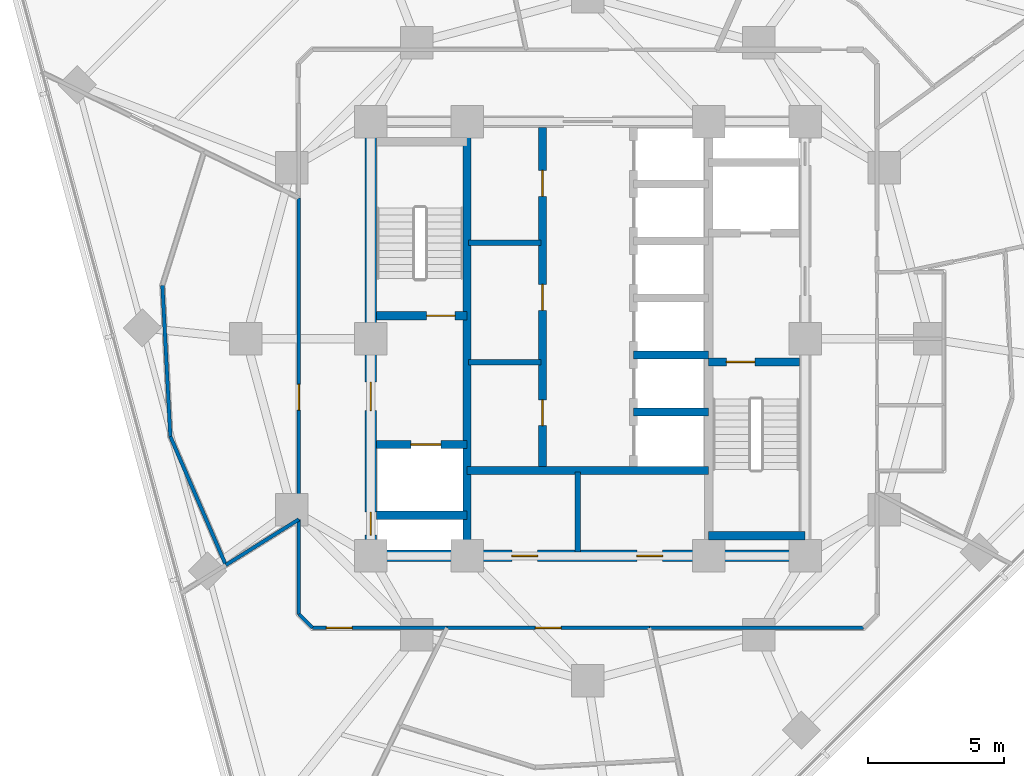
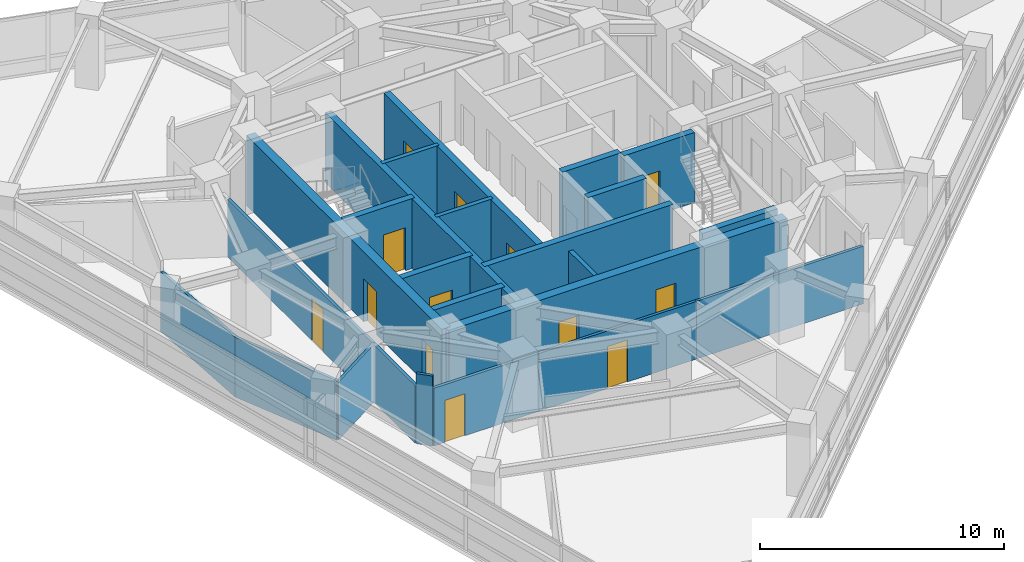
# One storey, part 7 of 14: 24 walls, 13 doors, 13 openings.
"""IFC4 building model written with IfcOpenShell, lengths in metres."""

from ifc_helpers import new_model, si_unit, direction, frame, frame_2d, origin, place, context, subcontext, project, spatial, rectangle, extrude, material, layer, layer_set, type_object, element, fill, save


model = new_model("IFC4")

# Units and contexts
model_context = context("Model", 3, precision=1e-05, world=origin(), true_north=direction((0.0, 1.0)))
body_context = subcontext(model_context, "Body", "Model", "MODEL_VIEW")
ifc_project = project(units=[si_unit("LENGTHUNIT", "METRE"), si_unit("AREAUNIT", "SQUARE_METRE"), si_unit("VOLUMEUNIT", "CUBIC_METRE"), si_unit("PLANEANGLEUNIT", "RADIAN"), si_unit("MASSUNIT", "GRAM", prefix="KILO")], contexts=[model_context])

# Site, building, storey
site_placement = place(None, origin())
site = spatial("IfcSite", under=ifc_project, at=site_placement, CompositionType="ELEMENT")
building_placement = place(site_placement, origin())
building = spatial("IfcBuilding", under=site, at=building_placement, Name="Terralouvre Media Tower", CompositionType="ELEMENT")
storey_placement = place(building_placement, frame((0.0, 0.0, 191.60009765625)))
storey = spatial("IfcBuildingStorey", under=building, at=storey_placement, Name="L49", CompositionType="ELEMENT", Elevation=191.60009765625)

# Wall
ifc_material_1 = material(Name="Concrete C50/60", Category="concrete")
ifc_layer_1 = layer(ifc_material_1, 0.300048828125, Name="Core Internal Shaft Wall CW-300")
ifc_layer_set_1 = layer_set([ifc_layer_1], Name="Concrete C50/60")
wall_type_1 = type_object("IfcWallType", Name="Core Internal Shaft Wall CW-300", PredefinedType="SHEAR", material=ifc_layer_set_1)
wall_1_placement = place(storey_placement, frame((-4.449951171875, -7.7900390625, 0.0), z_axis=(0.0, 0.0, 1.0), x_axis=(0.0, 1.0, 0.0)))
element("IfcWall", 1, at=wall_1_placement, inside=storey, type_object=wall_type_1, Name="L49 Core Shaft Wall SPW", PredefinedType="SHEAR", context=body_context, shape_type="SweptSolid", body=[
    extrude(rectangle(XDim=15.580078125, YDim=0.300048828125, at=frame_2d((7.7900390625, 0.0))), origin(), (0.0, 0.0, 1.0), 3.5),
])

# Wall, opening, door
wall_2_placement = place(storey_placement, frame((-7.7900390625, 0.85009765625, 0.0), z_axis=(0.0, 0.0, 1.0), x_axis=(1.0, 0.0, 0.0)))
wall_2 = element("IfcWall", 2, at=wall_2_placement, inside=storey, type_object=wall_type_1, Name="L49 Core Shaft Wall ST1D", PredefinedType="SHEAR", context=body_context, shape_type="SweptSolid", body=[
    extrude(rectangle(XDim=3.340087890625, YDim=0.300048828125, at=frame_2d((1.669921875, 0.0))), origin(), (0.0, 0.0, 1.0), 3.5),
])
opening_1_placement = place(wall_2_placement, frame((1.85009765625, 0.0, 0.0)))
opening_1 = element("IfcOpeningElement", 3, at=opening_1_placement, cuts=wall_2, Name="Opening FD-01-105X215", PredefinedType="OPENING", context=body_context, shape_type="SweptSolid", body=[
    extrude(rectangle(XDim=1.050048828125, YDim=2.14990234375, at=frame_2d((0.52490234375, 1.074951171875))), frame((0.0, 0.159912109375, 0.0), z_axis=(0.0, -1.0, 0.0), x_axis=(1.0, 0.0, 0.0)), (0.0, 0.0, 1.0), 0.320068359375),
])
ifc_material_2 = material(Name="Galvanised steel fire-resisting leaf", Category="steel")
door_type_1 = type_object("IfcDoorType", Name="Stair and Firefighting Lobby Fire Door FD-01 (1050x2150)", OperationType="NOTDEFINED", PredefinedType="DOOR", material=ifc_material_2)
door_1_placement = place(opening_1_placement, origin())
door_1 = element("IfcDoor", 4, at=door_1_placement, inside=storey, type_object=door_type_1, Name="L49 ST-01 Exit Stair Door", OperationType="SINGLE_SWING_LEFT", OverallHeight=2.14990234375, OverallWidth=1.050048828125, PredefinedType="DOOR", context=body_context, shape_type="SweptSolid", body=[
    extrude(rectangle(XDim=1.050048828125, YDim=2.14990234375, at=frame_2d((0.52490234375, 1.074951171875))), frame((0.0, 0.02490234375, 0.0), z_axis=(0.0, -1.0, 0.0), x_axis=(1.0, 0.0, 0.0)), (0.0, 0.0, 1.0), 0.050048828125),
])
fill(opening_1, door_1)

wall_3_placement = place(storey_placement, frame((4.449951171875, -0.85009765625, 0.0), z_axis=(0.0, 0.0, 1.0), x_axis=(1.0, 0.0, 0.0)))
wall_3 = element("IfcWall", 5, at=wall_3_placement, inside=storey, type_object=wall_type_1, Name="L49 Core Shaft Wall ST2D", PredefinedType="SHEAR", context=body_context, shape_type="SweptSolid", body=[
    extrude(rectangle(XDim=3.340087890625, YDim=0.300048828125, at=frame_2d((1.669921875, 0.0))), origin(), (0.0, 0.0, 1.0), 3.5),
])
opening_2_placement = place(wall_3_placement, frame((0.64990234375, 0.0, 0.0)))
opening_2 = element("IfcOpeningElement", 6, at=opening_2_placement, cuts=wall_3, Name="Opening FD-01-105X215", PredefinedType="OPENING", context=body_context, shape_type="SweptSolid", body=[
    extrude(rectangle(XDim=1.050048828125, YDim=2.14990234375, at=frame_2d((0.52490234375, 1.074951171875))), frame((0.0, 0.159912109375, 0.0), z_axis=(0.0, -1.0, 0.0), x_axis=(1.0, 0.0, 0.0)), (0.0, 0.0, 1.0), 0.320068359375),
])
door_2_placement = place(opening_2_placement, origin())
door_2 = element("IfcDoor", 7, at=door_2_placement, inside=storey, type_object=door_type_1, Name="L49 ST-02 Exit Stair Door", OperationType="SINGLE_SWING_RIGHT", OverallHeight=2.14990234375, OverallWidth=1.050048828125, PredefinedType="DOOR", context=body_context, shape_type="SweptSolid", body=[
    extrude(rectangle(XDim=1.050048828125, YDim=2.14990234375, at=frame_2d((0.52490234375, 1.074951171875))), frame((0.0, 0.02490234375, 0.0), z_axis=(0.0, -1.0, 0.0), x_axis=(1.0, 0.0, 0.0)), (0.0, 0.0, 1.0), 0.050048828125),
])
fill(opening_2, door_2)

# Wall
wall_4_placement = place(storey_placement, frame((4.449951171875, -7.260009765625, 0.0), z_axis=(0.0, 0.0, 1.0), x_axis=(1.0, 0.0, 0.0)))
element("IfcWall", 8, at=wall_4_placement, inside=storey, type_object=wall_type_1, Name="L49 Core Shaft Wall ST2F", PredefinedType="SHEAR", context=body_context, shape_type="SweptSolid", body=[
    extrude(rectangle(XDim=3.550048828125, YDim=0.300048828125, at=frame_2d((1.77490234375, 0.0))), origin(), (0.0, 0.0, 1.0), 3.5),
])

# Wall, opening, door
wall_5_placement = place(storey_placement, frame((-7.7900390625, -3.89990234375, 0.0), z_axis=(0.0, 0.0, 1.0), x_axis=(1.0, 0.0, 0.0)))
wall_5 = element("IfcWall", 9, at=wall_5_placement, inside=storey, type_object=wall_type_1, Name="L49 Core Shaft Wall FF1N", PredefinedType="SHEAR", context=body_context, shape_type="SweptSolid", body=[
    extrude(rectangle(XDim=3.340087890625, YDim=0.300048828125, at=frame_2d((1.669921875, 0.0))), origin(), (0.0, 0.0, 1.0), 3.5),
])
opening_3_placement = place(wall_5_placement, frame((1.27001953125, 0.0, 0.0)))
opening_3 = element("IfcOpeningElement", 10, at=opening_3_placement, cuts=wall_5, Name="Opening LD-FF", PredefinedType="OPENING", context=body_context, shape_type="SweptSolid", body=[
    extrude(rectangle(XDim=1.10009765625, YDim=2.10009765625, at=frame_2d((0.550048828125, 1.050048828125))), frame((0.0, 0.159912109375, 0.0), z_axis=(0.0, -1.0, 0.0), x_axis=(1.0, 0.0, 0.0)), (0.0, 0.0, 1.0), 0.320068359375),
])
ifc_material_3 = material(Name="Stainless steel 316 handrail and balustrade", Category="steel")
door_type_2 = type_object("IfcDoorType", Name="Firefighting Lift Sliding Landing Door LD-FF", OperationType="SLIDING_TO_LEFT", PredefinedType="DOOR", material=ifc_material_3)
door_3_placement = place(opening_3_placement, origin())
door_3 = element("IfcDoor", 11, at=door_3_placement, inside=storey, type_object=door_type_2, Name="L49 Firefighting Lift FFL-01 Landing Door", OperationType="SLIDING_TO_LEFT", OverallHeight=2.10009765625, OverallWidth=1.10009765625, PredefinedType="DOOR", context=body_context, shape_type="SweptSolid", body=[
    extrude(rectangle(XDim=1.10009765625, YDim=2.10009765625, at=frame_2d((0.550048828125, 1.050048828125))), frame((0.0, 0.02490234375, 0.0), z_axis=(0.0, -1.0, 0.0), x_axis=(1.0, 0.0, 0.0)), (0.0, 0.0, 1.0), 0.050048828125),
])
fill(opening_3, door_3)

# Walls
wall_6_placement = place(storey_placement, frame((-7.7900390625, -6.5, 0.0), z_axis=(0.0, 0.0, 1.0), x_axis=(1.0, 0.0, 0.0)))
element("IfcWall", 12, at=wall_6_placement, inside=storey, type_object=wall_type_1, Name="L49 Core Shaft Wall FF1S", PredefinedType="SHEAR", context=body_context, shape_type="SweptSolid", body=[
    extrude(rectangle(XDim=3.340087890625, YDim=0.300048828125, at=frame_2d((1.669921875, 0.0))), origin(), (0.0, 0.0, 1.0), 3.5),
])
wall_7_placement = place(storey_placement, frame((-4.449951171875, -4.85009765625, 0.0), z_axis=(0.0, 0.0, 1.0), x_axis=(1.0, 0.0, 0.0)))
element("IfcWall", 13, at=wall_7_placement, inside=storey, type_object=wall_type_1, Name="L49 Core Shaft Wall CSBN", PredefinedType="SHEAR", context=body_context, shape_type="SweptSolid", body=[
    extrude(rectangle(XDim=8.89990234375, YDim=0.300048828125, at=frame_2d((4.449951171875, 0.0))), origin(), (0.0, 0.0, 1.0), 3.5),
])

# Wall, openings, doors
wall_8_placement = place(storey_placement, frame((-1.679931640625, -4.85009765625, 0.0), z_axis=(0.0, 0.0, 1.0), x_axis=(0.0, 1.0, 0.0)))
wall_8 = element("IfcWall", 14, at=wall_8_placement, inside=storey, type_object=wall_type_1, Name="L49 Core Shaft Wall LBW", PredefinedType="SHEAR", context=body_context, shape_type="SweptSolid", body=[
    extrude(rectangle(XDim=12.64013671875, YDim=0.300048828125, at=frame_2d((6.320068359375, 0.0))), origin(), (0.0, 0.0, 1.0), 3.5),
])
opening_4_placement = place(wall_8_placement, frame((1.64990234375, 0.0, 0.0)))
opening_4 = element("IfcOpeningElement", 15, at=opening_4_placement, cuts=wall_8, Name="Opening FD-02-95X210", PredefinedType="OPENING", context=body_context, shape_type="SweptSolid", body=[
    extrude(rectangle(XDim=0.949951171875, YDim=2.10009765625, at=frame_2d((0.47509765625, 1.050048828125))), frame((0.0, 0.159912109375, 0.0), z_axis=(0.0, -1.0, 0.0), x_axis=(1.0, 0.0, 0.0)), (0.0, 0.0, 1.0), 0.320068359375),
])
opening_5_placement = place(wall_8_placement, frame((5.89990234375, 0.0, 0.0)))
opening_5 = element("IfcOpeningElement", 16, at=opening_5_placement, cuts=wall_8, Name="Opening SD-02", PredefinedType="OPENING", context=body_context, shape_type="SweptSolid", body=[
    extrude(rectangle(XDim=0.949951171875, YDim=2.10009765625, at=frame_2d((0.47509765625, 1.050048828125))), frame((0.0, 0.159912109375, 0.0), z_axis=(0.0, -1.0, 0.0), x_axis=(1.0, 0.0, 0.0)), (0.0, 0.0, 1.0), 0.320068359375),
])
opening_6_placement = place(wall_8_placement, frame((10.10009765625, 0.0, 0.0)))
opening_6 = element("IfcOpeningElement", 17, at=opening_6_placement, cuts=wall_8, Name="Opening FD-02-95X210", PredefinedType="OPENING", context=body_context, shape_type="SweptSolid", body=[
    extrude(rectangle(XDim=0.949951171875, YDim=2.10009765625, at=frame_2d((0.47509765625, 1.050048828125))), frame((0.0, 0.159912109375, 0.0), z_axis=(0.0, -1.0, 0.0), x_axis=(1.0, 0.0, 0.0)), (0.0, 0.0, 1.0), 0.320068359375),
])
ifc_material_4 = material(Name="Galvanised steel fire-resisting leaf", Category="steel")
door_type_3 = type_object("IfcDoorType", Name="Core Service Sliding Fire Door SD-02", OperationType="SLIDING_TO_LEFT", PredefinedType="DOOR", material=ifc_material_4)
door_4_placement = place(opening_5_placement, origin())
door_4 = element("IfcDoor", 18, at=door_4_placement, inside=storey, type_object=door_type_3, Name="L49 Core Pantry Store Door", OperationType="SLIDING_TO_LEFT", OverallHeight=2.10009765625, OverallWidth=0.949951171875, PredefinedType="DOOR", context=body_context, shape_type="SweptSolid", body=[
    extrude(rectangle(XDim=0.949951171875, YDim=2.10009765625, at=frame_2d((0.47509765625, 1.050048828125))), frame((0.0, 0.02490234375, 0.0), z_axis=(0.0, -1.0, 0.0), x_axis=(1.0, 0.0, 0.0)), (0.0, 0.0, 1.0), 0.050048828125),
])
fill(opening_5, door_4)
ifc_material_5 = material(Name="Galvanised steel fire-resisting leaf", Category="steel")
door_type_4 = type_object("IfcDoorType", Name="Plant and Riser Fire Door FD-02 (950x2100)", OperationType="NOTDEFINED", PredefinedType="DOOR", material=ifc_material_5)
door_5_placement = place(opening_4_placement, origin())
door_5 = element("IfcDoor", 19, at=door_5_placement, inside=storey, type_object=door_type_4, Name="L49 Core UPS Switch Plant Door", OperationType="SINGLE_SWING_LEFT", OverallHeight=2.10009765625, OverallWidth=0.949951171875, PredefinedType="DOOR", context=body_context, shape_type="SweptSolid", body=[
    extrude(rectangle(XDim=0.949951171875, YDim=2.10009765625, at=frame_2d((0.47509765625, 1.050048828125))), frame((0.0, 0.02490234375, 0.0), z_axis=(0.0, -1.0, 0.0), x_axis=(1.0, 0.0, 0.0)), (0.0, 0.0, 1.0), 0.050048828125),
])
fill(opening_4, door_5)
door_6_placement = place(opening_6_placement, origin())
door_6 = element("IfcDoor", 20, at=door_6_placement, inside=storey, type_object=door_type_4, Name="L49 Core Edge Server Plant Door", OperationType="SINGLE_SWING_RIGHT", OverallHeight=2.10009765625, OverallWidth=0.949951171875, PredefinedType="DOOR", context=body_context, shape_type="SweptSolid", body=[
    extrude(rectangle(XDim=0.949951171875, YDim=2.10009765625, at=frame_2d((0.47509765625, 1.050048828125))), frame((0.0, 0.02490234375, 0.0), z_axis=(0.0, -1.0, 0.0), x_axis=(1.0, 0.0, 0.0)), (0.0, 0.0, 1.0), 0.050048828125),
])
fill(opening_6, door_6)

# Walls
for number, where, z_axis, x_axis, name in (
    (21, (1.679931640625, -2.699951171875, 0.0), (0.0, 0.0, 1.0), (1.0, 0.0, 0.0), "L49 Core Shaft Wall PLHD1"),
    (22, (1.679931640625, -0.60009765625, 0.0), (0.0, 0.0, 1.0), (1.0, 0.0, 0.0), "L49 Core Shaft Wall PLHD2"),
):
    element("IfcWall", number, at=place(storey_placement, frame(where, z_axis=z_axis, x_axis=x_axis)), inside=storey, type_object=wall_type_1, Name=name, PredefinedType="SHEAR", context=body_context, shape_type="SweptSolid", body=[
        extrude(rectangle(XDim=2.77001953125, YDim=0.300048828125, at=frame_2d((1.385009765625, 0.0))), origin(), (0.0, 0.0, 1.0), 3.5),
    ])

# Wall, openings, doors
ifc_material_6 = material(Name="Concrete C60/75", Category="concrete")
ifc_layer_2 = layer(ifc_material_6, 0.419921875, Name="Core Reinforced Concrete Shear Wall CW-420")
ifc_layer_set_2 = layer_set([ifc_layer_2], Name="Concrete C60/75")
wall_type_2 = type_object("IfcWallType", Name="Core Reinforced Concrete Shear Wall CW-420", PredefinedType="SHEAR", material=ifc_layer_set_2)
wall_9_placement = place(storey_placement, frame((-8.0, -8.0, 0.0), z_axis=(0.0, 0.0, 1.0), x_axis=(0.0, 1.0, 0.0)))
wall_9 = element("IfcWall", 23, at=wall_9_placement, inside=storey, type_object=wall_type_2, Name="L49 W Core Shear Wall", PredefinedType="SHEAR", context=body_context, shape_type="SweptSolid", body=[
    extrude(rectangle(XDim=16.0, YDim=0.419921875, at=frame_2d((8.0, 0.0))), origin(), (0.0, 0.0, 1.0), 3.5),
])
opening_7_placement = place(wall_9_placement, frame((0.76123046875, 0.0, 0.0)))
opening_7 = element("IfcOpeningElement", 24, at=opening_7_placement, cuts=wall_9, Name="Opening TD-R1", PredefinedType="OPENING", context=body_context, shape_type="SweptSolid", body=[
    extrude(rectangle(XDim=0.85009765625, YDim=2.02001953125, at=frame_2d((0.425048828125, 1.010009765625))), frame((0.0, 0.219970703125, 0.0), z_axis=(0.0, -1.0, 0.0), x_axis=(1.0, 0.0, 0.0)), (0.0, 0.0, 1.0), 0.43994140625),
])
opening_8_placement = place(wall_9_placement, frame((5.35009765625, 0.0, 0.0)))
opening_8 = element("IfcOpeningElement", 25, at=opening_8_placement, cuts=wall_9, Name="Opening FD-01-105X215", PredefinedType="OPENING", context=body_context, shape_type="SweptSolid", body=[
    extrude(rectangle(XDim=1.050048828125, YDim=2.14990234375, at=frame_2d((0.52490234375, 1.074951171875))), frame((0.0, 0.219970703125, 0.0), z_axis=(0.0, -1.0, 0.0), x_axis=(1.0, 0.0, 0.0)), (0.0, 0.0, 1.0), 0.43994140625),
])
ifc_material_7 = material(Name="Galvanised steel fire-resisting leaf", Category="steel")
door_type_5 = type_object("IfcDoorType", Name="Riser Inspection Access Trapdoor TD-R1", OperationType="NOTDEFINED", PredefinedType="TRAPDOOR", material=ifc_material_7)
door_7_placement = place(opening_7_placement, origin())
door_7 = element("IfcDoor", 26, at=door_7_placement, inside=storey, type_object=door_type_5, Name="L49 Wet Riser Access Trapdoor", OperationType="SINGLE_SWING_LEFT", OverallHeight=2.02001953125, OverallWidth=0.85009765625, PredefinedType="TRAPDOOR", context=body_context, shape_type="SweptSolid", body=[
    extrude(rectangle(XDim=0.85009765625, YDim=2.02001953125, at=frame_2d((0.425048828125, 1.010009765625))), frame((0.0, 0.02490234375, 0.0), z_axis=(0.0, -1.0, 0.0), x_axis=(1.0, 0.0, 0.0)), (0.0, 0.0, 1.0), 0.050048828125),
])
fill(opening_7, door_7)
door_8_placement = place(opening_8_placement, origin())
door_8 = element("IfcDoor", 27, at=door_8_placement, inside=storey, type_object=door_type_1, Name="L49 West Firefighting Lobby Entry Door", OperationType="SINGLE_SWING_RIGHT", OverallHeight=2.14990234375, OverallWidth=1.050048828125, PredefinedType="DOOR", context=body_context, shape_type="SweptSolid", body=[
    extrude(rectangle(XDim=1.050048828125, YDim=2.14990234375, at=frame_2d((0.52490234375, 1.074951171875))), frame((0.0, 0.02490234375, 0.0), z_axis=(0.0, -1.0, 0.0), x_axis=(1.0, 0.0, 0.0)), (0.0, 0.0, 1.0), 0.050048828125),
])
fill(opening_8, door_8)

wall_10_placement = place(storey_placement, frame((-8.0, -8.0, 0.0), z_axis=(0.0, 0.0, 1.0), x_axis=(1.0, 0.0, 0.0)))
wall_10 = element("IfcWall", 28, at=wall_10_placement, inside=storey, type_object=wall_type_2, Name="L49 S Core Shear Wall", PredefinedType="SHEAR", context=body_context, shape_type="SweptSolid", body=[
    extrude(rectangle(XDim=16.0, YDim=0.419921875, at=frame_2d((8.0, 0.0))), origin(), (0.0, 0.0, 1.0), 3.5),
])
opening_9_placement = place(wall_10_placement, frame((5.199951171875, 0.0, 0.0)))
opening_9 = element("IfcOpeningElement", 29, at=opening_9_placement, cuts=wall_10, Name="Opening FD-02-95X210", PredefinedType="OPENING", context=body_context, shape_type="SweptSolid", body=[
    extrude(rectangle(XDim=0.949951171875, YDim=2.10009765625, at=frame_2d((0.47509765625, 1.050048828125))), frame((0.0, 0.219970703125, 0.0), z_axis=(0.0, -1.0, 0.0), x_axis=(1.0, 0.0, 0.0)), (0.0, 0.0, 1.0), 0.43994140625),
])
opening_10_placement = place(wall_10_placement, frame((9.800048828125, 0.0, 0.0)))
opening_10 = element("IfcOpeningElement", 30, at=opening_10_placement, cuts=wall_10, Name="Opening FD-02-95X210", PredefinedType="OPENING", context=body_context, shape_type="SweptSolid", body=[
    extrude(rectangle(XDim=0.949951171875, YDim=2.10009765625, at=frame_2d((0.47509765625, 1.050048828125))), frame((0.0, 0.219970703125, 0.0), z_axis=(0.0, -1.0, 0.0), x_axis=(1.0, 0.0, 0.0)), (0.0, 0.0, 1.0), 0.43994140625),
])
door_9_placement = place(opening_9_placement, origin())
door_9 = element("IfcDoor", 31, at=door_9_placement, inside=storey, type_object=door_type_4, Name="L49 Core Valve Plant Door", OperationType="SINGLE_SWING_LEFT", OverallHeight=2.10009765625, OverallWidth=0.949951171875, PredefinedType="DOOR", context=body_context, shape_type="SweptSolid", body=[
    extrude(rectangle(XDim=0.949951171875, YDim=2.10009765625, at=frame_2d((0.47509765625, 1.050048828125))), frame((0.0, 0.02490234375, 0.0), z_axis=(0.0, -1.0, 0.0), x_axis=(1.0, 0.0, 0.0)), (0.0, 0.0, 1.0), 0.050048828125),
])
fill(opening_9, door_9)
door_10_placement = place(opening_10_placement, origin())
door_10 = element("IfcDoor", 32, at=door_10_placement, inside=storey, type_object=door_type_4, Name="L49 Core MDF Plant Door", OperationType="SINGLE_SWING_RIGHT", OverallHeight=2.10009765625, OverallWidth=0.949951171875, PredefinedType="DOOR", context=body_context, shape_type="SweptSolid", body=[
    extrude(rectangle(XDim=0.949951171875, YDim=2.10009765625, at=frame_2d((0.47509765625, 1.050048828125))), frame((0.0, 0.02490234375, 0.0), z_axis=(0.0, -1.0, 0.0), x_axis=(1.0, 0.0, 0.0)), (0.0, 0.0, 1.0), 0.050048828125),
])
fill(opening_10, door_10)

# Walls
ifc_material_8 = material(Name="Fire-rated gypsum board drywall partition")
ifc_layer_3 = layer(ifc_material_8, 0.199951171875, Name="Fire-Rated Shaft and Lobby Partition FW-200")
ifc_layer_set_3 = layer_set([ifc_layer_3], Name="Fire-rated gypsum board drywall partition")
wall_type_3 = type_object("IfcWallType", Name="Fire-Rated Shaft and Lobby Partition FW-200", PredefinedType="SOLIDWALL", material=ifc_layer_set_3)
wall_11_placement = place(storey_placement, frame((-0.3798828125, -7.85009765625, 0.0), z_axis=(0.0, 0.0, 1.0), x_axis=(0.0, 1.0, 0.0)))
element("IfcWall", 33, at=wall_11_placement, inside=storey, type_object=wall_type_3, Name="L49 Core Service Bay Partition 1", PredefinedType="SOLIDWALL", context=body_context, shape_type="SweptSolid", body=[
    extrude(rectangle(XDim=2.9501953125, YDim=0.199951171875, at=frame_2d((1.47509765625, 0.0))), origin(), (0.0, 0.0, 1.0), 2.885009765625),
])
for number, where, z_axis, x_axis, name in (
    (34, (-4.39990234375, -0.860107421875, 0.0), (0.0, 0.0, 1.0), (1.0, 0.0, 0.0), "L49 Core West Sub-Partition 1"),
    (35, (-4.39990234375, 3.5400390625, 0.0), (0.0, 0.0, 1.0), (1.0, 0.0, 0.0), "L49 Core West Sub-Partition 2"),
):
    element("IfcWall", number, at=place(storey_placement, frame(where, z_axis=z_axis, x_axis=x_axis)), inside=storey, type_object=wall_type_3, Name=name, PredefinedType="SOLIDWALL", context=body_context, shape_type="SweptSolid", body=[
        extrude(rectangle(XDim=2.679931640625, YDim=0.199951171875, at=frame_2d((1.33984375, 0.0))), origin(), (0.0, 0.0, 1.0), 3.5),
    ])

# Wall, opening, door
ifc_material_9 = material(Name="Fire-rated gypsum board drywall partition")
ifc_layer_4 = layer(ifc_material_9, 0.135009765625, Name="Newsroom Acoustic Partition PT-135")
ifc_layer_set_4 = layer_set([ifc_layer_4], Name="Fire-rated gypsum board drywall partition")
wall_type_4 = type_object("IfcWallType", Name="Newsroom Acoustic Partition PT-135", PredefinedType="PARTITIONING", material=ifc_layer_set_4)
wall_12_placement = place(storey_placement, frame((-10.64990234375, 5.194091796875, 0.0), z_axis=(0.0, 0.0, 1.0), x_axis=(0.0, -1.0, 0.0)))
wall_12 = element("IfcWall", 36, at=wall_12_placement, inside=storey, type_object=wall_type_4, Name="L49 Interior Partition 001", PredefinedType="PARTITIONING", context=body_context, shape_type="SweptSolid", body=[
    extrude(rectangle(XDim=11.84912109375, YDim=0.135009765625, at=frame_2d((5.924560546875, 0.0))), origin(), (0.0, 0.0, 1.0), 2.885009765625),
])
opening_11_placement = place(wall_12_placement, frame((6.871337890625, 0.0, 0.0)))
opening_11 = element("IfcOpeningElement", 37, at=opening_11_placement, cuts=wall_12, Name="Opening ID-02-95X210", PredefinedType="OPENING", context=body_context, shape_type="SweptSolid", body=[
    extrude(rectangle(XDim=0.949951171875, YDim=2.10009765625, at=frame_2d((0.47509765625, 1.050048828125))), frame((0.0, 0.077392578125, 0.0), z_axis=(0.0, -1.0, 0.0), x_axis=(1.0, 0.0, 0.0)), (0.0, 0.0, 1.0), 0.155029296875),
])
ifc_material_10 = material(Name="Engineered hardwood acoustic timber leaf", Category="wood")
door_type_6 = type_object("IfcDoorType", Name="Office and Meeting Room Door ID-02 (950x2100)", OperationType="NOTDEFINED", PredefinedType="DOOR", material=ifc_material_10)
door_11_placement = place(opening_11_placement, origin())
door_11 = element("IfcDoor", 38, at=door_11_placement, inside=storey, type_object=door_type_6, Name="L49 Foley Sound Creative Workshop 1 Door", OperationType="SINGLE_SWING_RIGHT", OverallHeight=2.10009765625, OverallWidth=0.949951171875, PredefinedType="DOOR", context=body_context, shape_type="SweptSolid", body=[
    extrude(rectangle(XDim=0.949951171875, YDim=2.10009765625, at=frame_2d((0.47509765625, 1.050048828125))), frame((0.0, 0.02490234375, 0.0), z_axis=(0.0, -1.0, 0.0), x_axis=(1.0, 0.0, 0.0)), (0.0, 0.0, 1.0), 0.050048828125),
])
fill(opening_11, door_11)

# Walls
wall_13_placement = place(storey_placement, frame((-10.64990234375, -6.655029296875, 0.0), z_axis=(0.0, 0.0, 1.0), x_axis=(0.0, -1.0, 0.0)))
element("IfcWall", 39, at=wall_13_placement, inside=storey, type_object=wall_type_4, Name="L49 Interior Partition 002", PredefinedType="PARTITIONING", context=body_context, shape_type="SweptSolid", body=[
    extrude(rectangle(XDim=3.494873046875, YDim=0.135009765625, at=frame_2d((1.74755859375, 0.0))), origin(), (0.0, 0.0, 1.0), 2.885009765625),
])
wall_14_placement = place(storey_placement, frame((-10.64990234375, -10.14990234375, 0.0), z_axis=(0.0, 0.0, 1.0), x_axis=(0.707106781187, -0.707106781187, 0.0)))
element("IfcWall", 40, at=wall_14_placement, inside=storey, type_object=wall_type_4, Name="L49 Interior Partition 003", PredefinedType="PARTITIONING", context=body_context, shape_type="SweptSolid", body=[
    extrude(rectangle(XDim=0.70703125, YDim=0.135009765625, at=frame_2d((0.353515625, 0.0))), origin(), (0.0, 0.0, 1.0), 3.5),
])

# Wall, opening, door
wall_15_placement = place(storey_placement, frame((-10.14990234375, -10.64990234375, 0.0), z_axis=(0.0, 0.0, 1.0), x_axis=(1.0, 0.0, 0.0)))
wall_15 = element("IfcWall", 41, at=wall_15_placement, inside=storey, type_object=wall_type_4, Name="L49 Interior Partition 004", PredefinedType="PARTITIONING", context=body_context, shape_type="SweptSolid", body=[
    extrude(rectangle(XDim=4.955810546875, YDim=0.135009765625, at=frame_2d((2.47802734375, 0.0))), origin(), (0.0, 0.0, 1.0), 2.885009765625),
])
opening_12_placement = place(wall_15_placement, frame((0.51611328125, 0.0, 0.0)))
opening_12 = element("IfcOpeningElement", 42, at=opening_12_placement, cuts=wall_15, Name="Opening FD-04-95X210", PredefinedType="OPENING", context=body_context, shape_type="SweptSolid", body=[
    extrude(rectangle(XDim=0.949951171875, YDim=2.10009765625, at=frame_2d((0.47509765625, 1.050048828125))), frame((0.0, 0.077392578125, 0.0), z_axis=(0.0, -1.0, 0.0), x_axis=(1.0, 0.0, 0.0)), (0.0, 0.0, 1.0), 0.155029296875),
])
ifc_material_11 = material(Name="Galvanised steel fire-resisting leaf", Category="steel")
door_type_7 = type_object("IfcDoorType", Name="Core Store and Service Fire Door FD-04 (950x2100)", OperationType="NOTDEFINED", PredefinedType="DOOR", material=ifc_material_11)
door_12_placement = place(opening_12_placement, origin())
door_12 = element("IfcDoor", 43, at=door_12_placement, inside=storey, type_object=door_type_7, Name="L49 Vinyl and Score Music Library 2 Door", OperationType="SINGLE_SWING_LEFT", OverallHeight=2.10009765625, OverallWidth=0.949951171875, PredefinedType="DOOR", context=body_context, shape_type="SweptSolid", body=[
    extrude(rectangle(XDim=0.949951171875, YDim=2.10009765625, at=frame_2d((0.47509765625, 1.050048828125))), frame((0.0, 0.02490234375, 0.0), z_axis=(0.0, -1.0, 0.0), x_axis=(1.0, 0.0, 0.0)), (0.0, 0.0, 1.0), 0.050048828125),
])
fill(opening_12, door_12)

wall_16_placement = place(storey_placement, frame((-5.194091796875, -10.64990234375, 0.0), z_axis=(0.0, 0.0, 1.0), x_axis=(1.0, 0.0, 0.0)))
wall_16 = element("IfcWall", 44, at=wall_16_placement, inside=storey, type_object=wall_type_4, Name="L49 Interior Partition 005", PredefinedType="PARTITIONING", context=body_context, shape_type="SweptSolid", body=[
    extrude(rectangle(XDim=7.4580078125, YDim=0.135009765625, at=frame_2d((3.72900390625, 0.0))), origin(), (0.0, 0.0, 1.0), 2.885009765625),
])
opening_13_placement = place(wall_16_placement, frame((3.25390625, 0.0, 0.0)))
opening_13 = element("IfcOpeningElement", 45, at=opening_13_placement, cuts=wall_16, Name="Opening ID-02-95X210", PredefinedType="OPENING", context=body_context, shape_type="SweptSolid", body=[
    extrude(rectangle(XDim=0.949951171875, YDim=2.10009765625, at=frame_2d((0.47509765625, 1.050048828125))), frame((0.0, 0.077392578125, 0.0), z_axis=(0.0, -1.0, 0.0), x_axis=(1.0, 0.0, 0.0)), (0.0, 0.0, 1.0), 0.155029296875),
])
door_13_placement = place(opening_13_placement, origin())
door_13 = element("IfcDoor", 46, at=door_13_placement, inside=storey, type_object=door_type_6, Name="L49 Acoustic Listening Study 4 Door", OperationType="SINGLE_SWING_RIGHT", OverallHeight=2.10009765625, OverallWidth=0.949951171875, PredefinedType="DOOR", context=body_context, shape_type="SweptSolid", body=[
    extrude(rectangle(XDim=0.949951171875, YDim=2.10009765625, at=frame_2d((0.47509765625, 1.050048828125))), frame((0.0, 0.02490234375, 0.0), z_axis=(0.0, -1.0, 0.0), x_axis=(1.0, 0.0, 0.0)), (0.0, 0.0, 1.0), 0.050048828125),
])
fill(opening_13, door_13)

# Walls
wall_17_placement = place(storey_placement, frame((2.263916015625, -10.64990234375, 0.0), z_axis=(0.0, 0.0, 1.0), x_axis=(1.0, 0.0, 0.0)))
element("IfcWall", 47, at=wall_17_placement, inside=storey, type_object=wall_type_4, Name="L49 Interior Partition 006", PredefinedType="PARTITIONING", context=body_context, shape_type="SweptSolid", body=[
    extrude(rectangle(XDim=7.885986328125, YDim=0.135009765625, at=frame_2d((3.94287109375, 0.0))), origin(), (0.0, 0.0, 1.0), 2.885009765625),
])
wall_18_placement = place(storey_placement, frame((-13.341064453125, -8.3359375, 0.0), z_axis=(0.0, 0.0, 1.0), x_axis=(0.848149563096, 0.529756848582, 0.0)))
element("IfcWall", 48, at=wall_18_placement, inside=storey, type_object=wall_type_4, Name="L49 Interior Partition 021", PredefinedType="PARTITIONING", context=body_context, shape_type="SweptSolid", body=[
    extrude(rectangle(XDim=3.173095703125, YDim=0.135009765625, at=frame_2d((1.58642578125, 0.0))), origin(), (0.0, 0.0, 1.0), 2.885009765625),
])
wall_19_placement = place(storey_placement, frame((-15.677001953125, 1.970947265625, 0.0), z_axis=(0.0, 0.0, 1.0), x_axis=(0.052349772407, -0.998628810584, 0.0)))
element("IfcWall", 49, at=wall_19_placement, inside=storey, type_object=wall_type_4, Name="L49 Interior Partition 024", PredefinedType="PARTITIONING", context=body_context, shape_type="SweptSolid", body=[
    extrude(rectangle(XDim=5.57763671875, YDim=0.135009765625, at=frame_2d((2.788818359375, 0.0))), origin(), (0.0, 0.0, 1.0), 2.98486328125),
])
wall_20_placement = place(storey_placement, frame((-15.385009765625, -3.59912109375, 0.0), z_axis=(0.0, 0.0, 1.0), x_axis=(0.396191247476, -0.918168010455, 0.0)))
element("IfcWall", 50, at=wall_20_placement, inside=storey, type_object=wall_type_4, Name="L49 Interior Partition 025", PredefinedType="PARTITIONING", context=body_context, shape_type="SweptSolid", body=[
    extrude(rectangle(XDim=5.158935546875, YDim=0.135009765625, at=frame_2d((2.57958984375, 0.0))), origin(), (0.0, 0.0, 1.0), 2.98486328125),
])

save(model, "model.ifc")
